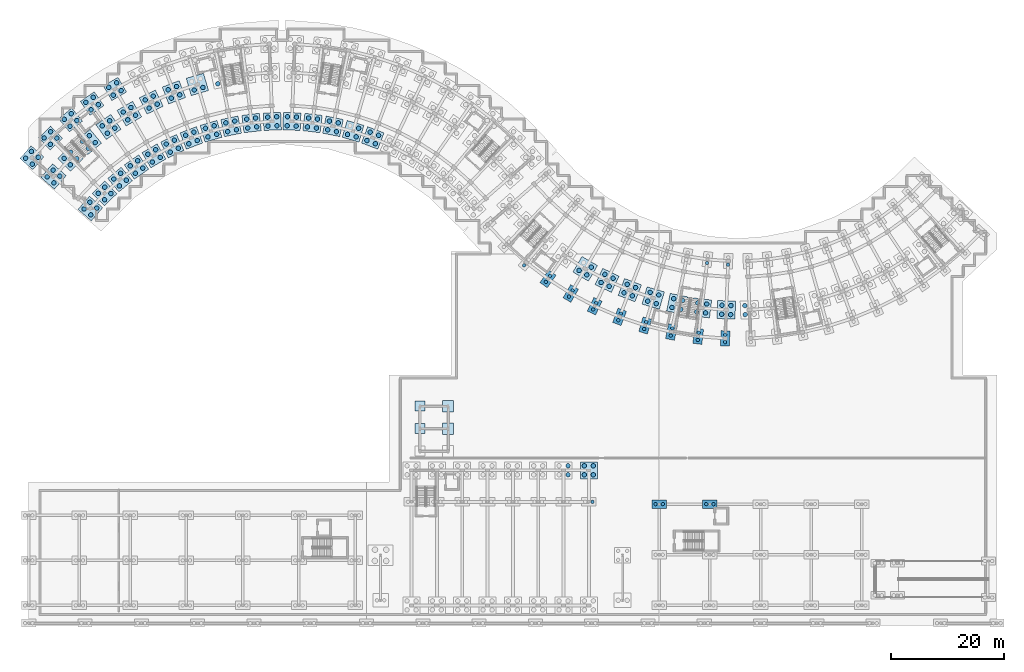
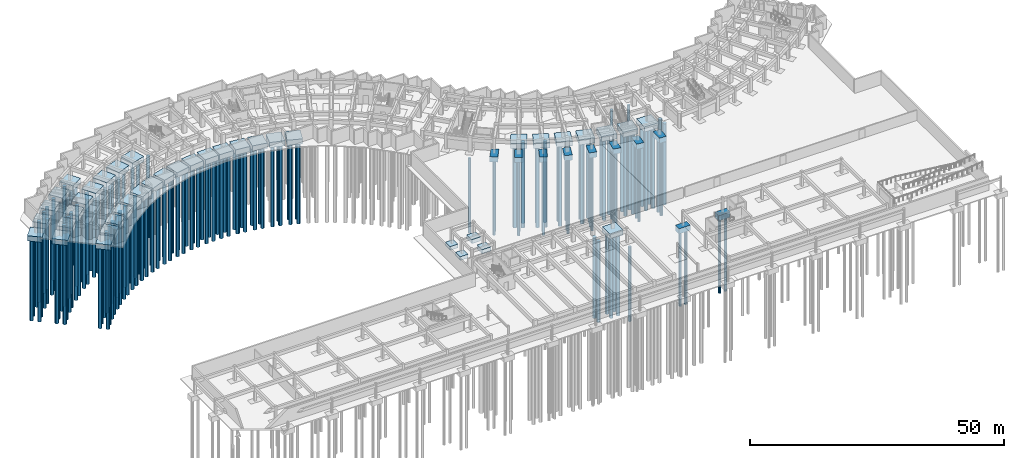
# One storey, part 2 of 32: 173 piles, 51 footings.
"""IFC4 building model written with IfcOpenShell, lengths in metres."""

from ifc_helpers import new_model, si_unit, direction, frame, origin, origin_2d, place, context, subcontext, project, spatial, rectangle, circle, extrude, material, material_profile, profile_set, type_object, element, save


model = new_model("IFC4")

# Units and contexts
model_context = context("Model", 3, precision=1e-05, world=origin(), true_north=direction((0.0, 1.0)))
body_context = subcontext(model_context, "Body", "Model", "MODEL_VIEW")
ifc_project = project(units=[si_unit("LENGTHUNIT", "METRE"), si_unit("AREAUNIT", "SQUARE_METRE"), si_unit("VOLUMEUNIT", "CUBIC_METRE"), si_unit("PLANEANGLEUNIT", "RADIAN"), si_unit("MASSUNIT", "GRAM", prefix="KILO")], contexts=[model_context])

# Site, building, storey
site_placement = place(None, origin())
site = spatial("IfcSite", under=ifc_project, at=site_placement, CompositionType="ELEMENT")
building_placement = place(site_placement, origin())
building = spatial("IfcBuilding", under=site, at=building_placement, Name="Zimvara Arc Housing Community", CompositionType="ELEMENT")
storey_placement = place(building_placement, frame((0.0, 0.0, -3.60009765625)))
storey = spatial("IfcBuildingStorey", under=building, at=storey_placement, Name="B1", CompositionType="ELEMENT", Elevation=-3.60009765625)

# Footings
ifc_material_1 = material(Name="Concrete C35/45", Category="concrete")
footing_type_1 = type_object("IfcFootingType", Name="FTG-PAD-1800x1800x900", PredefinedType="PAD_FOOTING", material=ifc_material_1)
for number, where, z_axis, x_axis, name in (
    (1, (69.5, 35.0, -0.89990234375), (0.0, 0.0, 1.0), (1.0, 0.0, 0.0), "ftg:pad:3"),
    (2, (69.5, 39.0, -0.89990234375), (0.0, 0.0, 1.0), (1.0, 0.0, 0.0), "ftg:pad:5"),
):
    element("IfcFooting", number, at=place(storey_placement, frame(where, z_axis=z_axis, x_axis=x_axis)), inside=storey, type_object=footing_type_1, Name=name, PredefinedType="PAD_FOOTING", context=body_context, shape_type="SweptSolid", body=[
        extrude(rectangle(XDim=1.800048828125, YDim=1.800048828125, at=origin_2d()), origin(), (0.0, 0.0, 1.0), 0.89990234375),
    ])
ifc_material_2 = material(Name="Concrete C35/45", Category="concrete")
footing_type_2 = type_object("IfcFootingType", Name="FTG-PAD-2000x2000x950", PredefinedType="PAD_FOOTING", material=ifc_material_2)
for number, where, z_axis, x_axis, name in (
    (3, (74.5, 35.0, -0.94970703125), (0.0, 0.0, 1.0), (1.0, 0.0, 0.0), "ftg:pad:4"),
    (4, (74.5, 39.0, -0.94970703125), (0.0, 0.0, 1.0), (1.0, 0.0, 0.0), "ftg:pad:6"),
):
    element("IfcFooting", number, at=place(storey_placement, frame(where, z_axis=z_axis, x_axis=x_axis)), inside=storey, type_object=footing_type_2, Name=name, PredefinedType="PAD_FOOTING", context=body_context, shape_type="SweptSolid", body=[
        extrude(rectangle(XDim=2.0, YDim=2.0, at=origin_2d()), origin(), (0.0, 0.0, 1.0), 0.949951171875),
    ])
ifc_material_3 = material(Name="Concrete C35/45", Category="concrete")
footing_type_3 = type_object("IfcFootingType", Name="FTG-PC2-2400x1500x1250", PredefinedType="PILE_CAP", material=ifc_material_3)
for number, where, z_axis, x_axis, name in (
    (5, (112.0, 21.60009765625, -1.25), (0.0, 0.0, 1.0), (1.0, 0.0, 0.0), "ftg:nursery:x0:y2"),
    (6, (121.0, 21.60009765625, -1.25), (0.0, 0.0, 1.0), (1.0, 0.0, 0.0), "ftg:nursery:x1:y2"),
):
    element("IfcFooting", number, at=place(storey_placement, frame(where, z_axis=z_axis, x_axis=x_axis)), inside=storey, type_object=footing_type_3, Name=name, PredefinedType="PILE_CAP", context=body_context, shape_type="SweptSolid", body=[
        extrude(rectangle(XDim=2.60009765625, YDim=1.5, at=origin_2d()), origin(), (0.0, 0.0, 1.0), 1.25),
    ])
ifc_material_4 = material(Name="Concrete C35/45", Category="concrete")
footing_type_4 = type_object("IfcFootingType", Name="FTG-PC2-2600x1600x1250", PredefinedType="PILE_CAP", material=ifc_material_4)
for number, where, z_axis, x_axis, name in (
    (7, (92.241455078125, 61.604736328125, -1.25), (0.0, 0.0, 1.0), (-0.573004420611, -0.819552276527, 0.0), "ftg:blkC:b3:r3"),
    (8, (96.291259765625, 59.012939453125, -1.25), (0.0, 0.0, 1.0), (-0.504226211181, -0.863571611366, 0.0), "ftg:blkC:b4:r3"),
    (9, (100.538818359375, 56.760009765625, -1.25), (0.0, 0.0, 1.0), (-0.432085748802, -0.901832526405, 0.0), "ftg:blkC:b5:r3"),
    (10, (104.9560546875, 54.861328125, -1.25), (0.0, 0.0, 1.0), (-0.357064076459, -0.934079892355, 0.0), "ftg:blkC:b6:r3"),
    (11, (109.513427734375, 53.329345703125, -1.25), (0.0, 0.0, 1.0), (-0.27966144946, -0.96009867914, 0.0), "ftg:blkC:b7:r3"),
    (12, (114.180908203125, 52.17431640625, -1.25), (0.0, 0.0, 1.0), (-0.200393999665, -0.979715389742, 0.0), "ftg:blkC:b8:r3"),
    (13, (118.9267578125, 51.404052734375, -1.25), (0.0, 0.0, 1.0), (-0.119790293837, -0.992799217114, 0.0), "ftg:blkC:b9:r3"),
    (14, (123.7197265625, 51.0234375, -1.25), (0.0, 0.0, 1.0), (-0.038387809088, -0.999262916411, 0.0), "ftg:blkC:b10:r3"),
):
    element("IfcFooting", number, at=place(storey_placement, frame(where, z_axis=z_axis, x_axis=x_axis)), inside=storey, type_object=footing_type_4, Name=name, PredefinedType="PILE_CAP", context=body_context, shape_type="SweptSolid", body=[
        extrude(rectangle(XDim=2.699951171875, YDim=1.60009765625, at=origin_2d()), origin(), (0.0, 0.0, 1.0), 1.25),
    ])
ifc_material_5 = material(Name="Concrete C35/45", Category="concrete")
footing_type_5 = type_object("IfcFootingType", Name="FTG-PC4-2800x2800x1250", PredefinedType="PILE_CAP", material=ifc_material_5)
for number, where, z_axis, x_axis, name in (
    (15, (0.562744140625, 83.128662109375, -1.25), (0.0, 0.0, 1.0), (-0.754709580223, 0.656059028991, 0.0), "ftg:blkA:b0:r3"),
    (16, (3.862548828125, 86.625732421875, -1.25), (0.0, 0.0, 1.0), (-0.698665066769, 0.715448897181, 0.0), "ftg:blkA:b1:r3"),
    (17, (7.436767578125, 89.841552734375, -1.25), (0.0, 0.0, 1.0), (-0.637961754089, 0.770068049148, 0.0), "ftg:blkA:b2:r3"),
    (18, (11.261474609375, 92.755126953125, -1.25), (0.0, 0.0, 1.0), (-0.573004420611, 0.819552276527, 0.0), "ftg:blkA:b3:r3"),
    (19, (15.311279296875, 95.34716796875, -1.25), (0.0, 0.0, 1.0), (-0.504226211181, 0.863571611366, 0.0), "ftg:blkA:b4:r3"),
    (20, (99.5, 27.60009765625, -1.25), (0.0, 0.0, 1.0), (1.0, 0.0, 0.0), "ftg:hall:x7:y1"),
):
    element("IfcFooting", number, at=place(storey_placement, frame(where, z_axis=z_axis, x_axis=x_axis)), inside=storey, type_object=footing_type_5, Name=name, PredefinedType="PILE_CAP", context=body_context, shape_type="SweptSolid", body=[
        extrude(rectangle(XDim=3.0, YDim=3.0, at=origin_2d()), origin(), (0.0, 0.0, 1.0), 1.25),
    ])
ifc_material_6 = material(Name="Concrete C35/45", Category="concrete")
footing_type_6 = type_object("IfcFootingType", Name="FTG-PC4-3000x3000x1250", PredefinedType="PILE_CAP", material=ifc_material_6)
for number, where, z_axis, x_axis, name in (
    (21, (10.947509765625, 74.101318359375, -1.25), (0.0, 0.0, 1.0), (-0.754709580223, 0.656059028991, 0.0), "ftg:blkA:b0:r0"),
    (22, (13.476318359375, 76.781005859375, -1.25), (0.0, 0.0, 1.0), (-0.698665066769, 0.715448897181, 0.0), "ftg:blkA:b1:r0"),
    (23, (16.215087890625, 79.245361328125, -1.25), (0.0, 0.0, 1.0), (-0.637961754089, 0.770068049148, 0.0), "ftg:blkA:b2:r0"),
    (24, (19.14599609375, 81.478271484375, -1.25), (0.0, 0.0, 1.0), (-0.573004420611, 0.819552276527, 0.0), "ftg:blkA:b3:r0"),
    (25, (22.249267578125, 83.46435546875, -1.25), (0.0, 0.0, 1.0), (-0.504226211181, 0.863571611366, 0.0), "ftg:blkA:b4:r0"),
    (26, (25.50439453125, 85.190673828125, -1.25), (0.0, 0.0, 1.0), (-0.432085748802, 0.901832526405, 0.0), "ftg:blkA:b5:r0"),
    (27, (28.88916015625, 86.645751953125, -1.25), (0.0, 0.0, 1.0), (-0.357064076459, 0.934079892355, 0.0), "ftg:blkA:b6:r0"),
    (28, (32.381591796875, 87.819580078125, -1.25), (0.0, 0.0, 1.0), (-0.27966144946, 0.96009867914, 0.0), "ftg:blkA:b7:r0"),
    (29, (35.958251953125, 88.704833984375, -1.25), (0.0, 0.0, 1.0), (-0.200393999665, 0.979715389742, 0.0), "ftg:blkA:b8:r0"),
    (30, (39.594970703125, 89.295166015625, -1.25), (0.0, 0.0, 1.0), (-0.119790293837, 0.992799217114, 0.0), "ftg:blkA:b9:r0"),
    (31, (43.267822265625, 89.586669921875, -1.25), (0.0, 0.0, 1.0), (-0.038387809088, 0.999262916411, 0.0), "ftg:blkA:b10:r0"),
    (32, (46.732177734375, 89.586669921875, -1.25), (0.0, 0.0, 1.0), (0.038387809088, 0.999262916411, 0.0), "ftg:blkB:b0:r0"),
    (33, (50.405029296875, 89.295166015625, -1.25), (0.0, 0.0, 1.0), (0.119790293837, 0.992799217114, 0.0), "ftg:blkB:b1:r0"),
    (34, (54.041748046875, 88.704833984375, -1.25), (0.0, 0.0, 1.0), (0.200393999665, 0.979715389742, 0.0), "ftg:blkB:b2:r0"),
    (35, (57.618408203125, 87.819580078125, -1.25), (0.0, 0.0, 1.0), (0.27966144946, 0.96009867914, 0.0), "ftg:blkB:b3:r0"),
    (36, (61.11083984375, 86.645751953125, -1.25), (0.0, 0.0, 1.0), (0.357064076459, 0.934079892355, 0.0), "ftg:blkB:b4:r0"),
):
    element("IfcFooting", number, at=place(storey_placement, frame(where, z_axis=z_axis, x_axis=x_axis)), inside=storey, type_object=footing_type_6, Name=name, PredefinedType="PILE_CAP", context=body_context, shape_type="SweptSolid", body=[
        extrude(rectangle(XDim=3.10009765625, YDim=3.10009765625, at=origin_2d()), origin(), (0.0, 0.0, 1.0), 1.25),
    ])
ifc_material_7 = material(Name="Concrete C35/45", Category="concrete")
footing_type_7 = type_object("IfcFootingType", Name="FTG-PC4-3200x3200x1250", PredefinedType="PILE_CAP", material=ifc_material_7)
for number, where, z_axis, x_axis, name in (
    (37, (4.396728515625, 79.7958984375, -1.25), (0.0, 0.0, 1.0), (-0.754709580223, 0.656059028991, 0.0), "ftg:blkA:b0:r2"),
    (38, (7.411865234375, 82.9912109375, -1.25), (0.0, 0.0, 1.0), (-0.698665066769, 0.715448897181, 0.0), "ftg:blkA:b1:r2"),
    (39, (10.677734375, 85.9296875, -1.25), (0.0, 0.0, 1.0), (-0.637961754089, 0.770068049148, 0.0), "ftg:blkA:b2:r2"),
    (40, (14.17236328125, 88.591796875, -1.25), (0.0, 0.0, 1.0), (-0.573004420611, 0.819552276527, 0.0), "ftg:blkA:b3:r2"),
    (41, (17.87255859375, 90.960205078125, -1.25), (0.0, 0.0, 1.0), (-0.504226211181, 0.863571611366, 0.0), "ftg:blkA:b4:r2"),
    (42, (21.75390625, 93.0185546875, -1.25), (0.0, 0.0, 1.0), (-0.432085748802, 0.901832526405, 0.0), "ftg:blkA:b5:r2"),
    (43, (25.7900390625, 94.75341796875, -1.25), (0.0, 0.0, 1.0), (-0.357064076459, 0.934079892355, 0.0), "ftg:blkA:b6:r2"),
    (44, (29.9541015625, 96.1533203125, -1.25), (0.0, 0.0, 1.0), (-0.27966144946, 0.96009867914, 0.0), "ftg:blkA:b7:r2"),
    (45, (98.8525390625, 63.39990234375, -1.25), (0.0, 0.0, 1.0), (-0.504226211181, -0.863571611366, 0.0), "ftg:blkC:b4:r2"),
    (46, (102.73388671875, 61.34130859375, -1.25), (0.0, 0.0, 1.0), (-0.432085748802, -0.901832526405, 0.0), "ftg:blkC:b5:r2"),
    (47, (106.77001953125, 59.6064453125, -1.25), (0.0, 0.0, 1.0), (-0.357064076459, -0.934079892355, 0.0), "ftg:blkC:b6:r2"),
    (48, (110.934326171875, 58.206787109375, -1.25), (0.0, 0.0, 1.0), (-0.27966144946, -0.96009867914, 0.0), "ftg:blkC:b7:r2"),
    (49, (115.19873046875, 57.1513671875, -1.25), (0.0, 0.0, 1.0), (-0.200393999665, -0.979715389742, 0.0), "ftg:blkC:b8:r2"),
    (50, (119.535400390625, 56.447509765625, -1.25), (0.0, 0.0, 1.0), (-0.119790293837, -0.992799217114, 0.0), "ftg:blkC:b9:r2"),
    (51, (123.914794921875, 56.099609375, -1.25), (0.0, 0.0, 1.0), (-0.038387809088, -0.999262916411, 0.0), "ftg:blkC:b10:r2"),
):
    element("IfcFooting", number, at=place(storey_placement, frame(where, z_axis=z_axis, x_axis=x_axis)), inside=storey, type_object=footing_type_7, Name=name, PredefinedType="PILE_CAP", context=body_context, shape_type="SweptSolid", body=[
        extrude(rectangle(XDim=3.199951171875, YDim=3.199951171875, at=origin_2d()), origin(), (0.0, 0.0, 1.0), 1.25),
    ])

# Piles
ifc_material_8 = material(Name="Concrete C35/45", Category="concrete")
ifc_material_profile_1 = material_profile(ifc_material_8, circle(Radius=0.300048828125, at=origin_2d()), Name="PILE D600")
ifc_profile_set_1 = profile_set([ifc_material_profile_1], Name="Concrete C35/45")
pile_type_1 = type_object("IfcPileType", Name="PIL-BORED-D600", PredefinedType="BORED", material=ifc_profile_set_1)
for number, where, z_axis, x_axis, name in (
    (52, (88.002197265625, 64.017822265625, -1.14990234375), (0.0, 0.0, -1.0), (1.0, 0.0, 0.0), "pile:blkC:b2:r3:2"),
    (53, (92.614013671875, 62.137451171875, -1.14990234375), (0.0, 0.0, -1.0), (1.0, 0.0, 0.0), "pile:blkC:b3:r3:1"),
    (54, (91.869140625, 61.072021484375, -1.14990234375), (0.0, 0.0, -1.0), (1.0, 0.0, 0.0), "pile:blkC:b3:r3:2"),
    (55, (96.618896484375, 59.57421875, -1.14990234375), (0.0, 0.0, -1.0), (1.0, 0.0, 0.0), "pile:blkC:b4:r3:1"),
    (56, (95.96337890625, 58.45166015625, -1.14990234375), (0.0, 0.0, -1.0), (1.0, 0.0, 0.0), "pile:blkC:b4:r3:2"),
    (57, (100.819580078125, 57.34619140625, -1.14990234375), (0.0, 0.0, -1.0), (1.0, 0.0, 0.0), "pile:blkC:b5:r3:1"),
    (58, (100.258056640625, 56.173828125, -1.14990234375), (0.0, 0.0, -1.0), (1.0, 0.0, 0.0), "pile:blkC:b5:r3:2"),
    (59, (105.188232421875, 55.468505859375, -1.14990234375), (0.0, 0.0, -1.0), (1.0, 0.0, 0.0), "pile:blkC:b6:r3:1"),
    (60, (104.723876953125, 54.254150390625, -1.14990234375), (0.0, 0.0, -1.0), (1.0, 0.0, 0.0), "pile:blkC:b6:r3:2"),
    (61, (109.6953125, 53.953369140625, -1.14990234375), (0.0, 0.0, -1.0), (1.0, 0.0, 0.0), "pile:blkC:b7:r3:1"),
    (62, (109.331787109375, 52.705322265625, -1.14990234375), (0.0, 0.0, -1.0), (1.0, 0.0, 0.0), "pile:blkC:b7:r3:2"),
    (63, (114.31103515625, 52.811279296875, -1.14990234375), (0.0, 0.0, -1.0), (1.0, 0.0, 0.0), "pile:blkC:b8:r3:1"),
    (64, (114.050537109375, 51.53759765625, -1.14990234375), (0.0, 0.0, -1.0), (1.0, 0.0, 0.0), "pile:blkC:b8:r3:2"),
    (65, (120.497314453125, 64.419677734375, -1.14990234375), (0.0, 0.0, -1.0), (1.0, 0.0, 0.0), "pile:blkC:b9:r0:2"),
    (66, (119.004638671875, 52.04931640625, -1.14990234375), (0.0, 0.0, -1.0), (1.0, 0.0, 0.0), "pile:blkC:b9:r3:1"),
    (67, (118.848876953125, 50.758544921875, -1.14990234375), (0.0, 0.0, -1.0), (1.0, 0.0, 0.0), "pile:blkC:b9:r3:2"),
    (68, (124.222900390625, 64.123779296875, -1.14990234375), (0.0, 0.0, -1.0), (1.0, 0.0, 0.0), "pile:blkC:b10:r0:2"),
    (69, (123.74462890625, 51.6728515625, -1.14990234375), (0.0, 0.0, -1.0), (1.0, 0.0, 0.0), "pile:blkC:b10:r3:1"),
    (70, (123.69482421875, 50.373779296875, -1.14990234375), (0.0, 0.0, -1.0), (1.0, 0.0, 0.0), "pile:blkC:b10:r3:2"),
    (71, (100.14990234375, 22.0, -1.14990234375), (0.0, 0.0, -1.0), (1.0, 0.0, 0.0), "pile:hall:gal:x7:2"),
    (72, (111.35009765625, 21.60009765625, -1.14990234375), (0.0, 0.0, -1.0), (1.0, 0.0, 0.0), "pile:nursery:x0:y2:1"),
    (73, (112.64990234375, 21.60009765625, -1.14990234375), (0.0, 0.0, -1.0), (1.0, 0.0, 0.0), "pile:nursery:x0:y2:2"),
    (74, (120.35009765625, 21.60009765625, -1.14990234375), (0.0, 0.0, -1.0), (1.0, 0.0, 0.0), "pile:nursery:x1:y2:1"),
    (75, (121.64990234375, 21.60009765625, -1.14990234375), (0.0, 0.0, -1.0), (1.0, 0.0, 0.0), "pile:nursery:x1:y2:2"),
):
    element("IfcPile", number, at=place(storey_placement, frame(where, z_axis=z_axis, x_axis=x_axis)), inside=storey, type_object=pile_type_1, Name=name, PredefinedType="BORED", context=body_context, shape_type="SweptSolid", body=[
        extrude(circle(Radius=0.300048828125, at=origin_2d()), origin(), (0.0, 0.0, 1.0), 18.0),
    ])
ifc_material_9 = material(Name="Concrete C35/45", Category="concrete")
ifc_material_profile_2 = material_profile(ifc_material_9, circle(Radius=0.39990234375, at=origin_2d()), Name="PILE D800")
ifc_profile_set_2 = profile_set([ifc_material_profile_2], Name="Concrete C35/45")
pile_type_2 = type_object("IfcPileType", Name="PIL-BORED-D800", PredefinedType="BORED", material=ifc_profile_set_2)
for number, where, z_axis, x_axis, name in (
    (76, (12.076171875, 74.180419921875, -1.14990234375), (0.0, 0.0, -1.0), (1.0, 0.0, 0.0), "pile:blkA:b0:r0:1"),
    (77, (10.86865234375, 75.22998046875, -1.14990234375), (0.0, 0.0, -1.0), (1.0, 0.0, 0.0), "pile:blkA:b0:r0:2"),
    (78, (9.81884765625, 74.0224609375, -1.14990234375), (0.0, 0.0, -1.0), (1.0, 0.0, 0.0), "pile:blkA:b0:r0:3"),
    (79, (11.0263671875, 72.97265625, -1.14990234375), (0.0, 0.0, -1.0), (1.0, 0.0, 0.0), "pile:blkA:b0:r0:4"),
    (80, (5.525146484375, 79.875, -1.14990234375), (0.0, 0.0, -1.0), (1.0, 0.0, 0.0), "pile:blkA:b0:r2:1"),
    (81, (4.317626953125, 80.924560546875, -1.14990234375), (0.0, 0.0, -1.0), (1.0, 0.0, 0.0), "pile:blkA:b0:r2:2"),
    (82, (3.26806640625, 79.717041015625, -1.14990234375), (0.0, 0.0, -1.0), (1.0, 0.0, 0.0), "pile:blkA:b0:r2:3"),
    (83, (4.4755859375, 78.66748046875, -1.14990234375), (0.0, 0.0, -1.0), (1.0, 0.0, 0.0), "pile:blkA:b0:r2:4"),
    (84, (1.69140625, 83.207763671875, -1.14990234375), (0.0, 0.0, -1.0), (1.0, 0.0, 0.0), "pile:blkA:b0:r3:1"),
    (85, (0.48388671875, 84.25732421875, -1.14990234375), (0.0, 0.0, -1.0), (1.0, 0.0, 0.0), "pile:blkA:b0:r3:2"),
    (86, (-0.56591796875, 83.0498046875, -1.14990234375), (0.0, 0.0, -1.0), (1.0, 0.0, 0.0), "pile:blkA:b0:r3:3"),
    (87, (0.6416015625, 82.000244140625, -1.14990234375), (0.0, 0.0, -1.0), (1.0, 0.0, 0.0), "pile:blkA:b0:r3:4"),
    (88, (14.607421875, 76.767578125, -1.14990234375), (0.0, 0.0, -1.0), (1.0, 0.0, 0.0), "pile:blkA:b1:r0:1"),
    (89, (13.48974609375, 77.912353515625, -1.14990234375), (0.0, 0.0, -1.0), (1.0, 0.0, 0.0), "pile:blkA:b1:r0:2"),
    (90, (12.344970703125, 76.79443359375, -1.14990234375), (0.0, 0.0, -1.0), (1.0, 0.0, 0.0), "pile:blkA:b1:r0:3"),
    (91, (13.462890625, 75.649658203125, -1.14990234375), (0.0, 0.0, -1.0), (1.0, 0.0, 0.0), "pile:blkA:b1:r0:4"),
    (92, (8.543212890625, 82.977783203125, -1.14990234375), (0.0, 0.0, -1.0), (1.0, 0.0, 0.0), "pile:blkA:b1:r2:1"),
    (93, (7.42529296875, 84.12255859375, -1.14990234375), (0.0, 0.0, -1.0), (1.0, 0.0, 0.0), "pile:blkA:b1:r2:2"),
    (94, (6.280517578125, 83.004638671875, -1.14990234375), (0.0, 0.0, -1.0), (1.0, 0.0, 0.0), "pile:blkA:b1:r2:3"),
    (95, (7.3984375, 81.85986328125, -1.14990234375), (0.0, 0.0, -1.0), (1.0, 0.0, 0.0), "pile:blkA:b1:r2:4"),
    (96, (4.993896484375, 86.6123046875, -1.14990234375), (0.0, 0.0, -1.0), (1.0, 0.0, 0.0), "pile:blkA:b1:r3:1"),
    (97, (3.8759765625, 87.7568359375, -1.14990234375), (0.0, 0.0, -1.0), (1.0, 0.0, 0.0), "pile:blkA:b1:r3:2"),
    (98, (2.731201171875, 86.63916015625, -1.14990234375), (0.0, 0.0, -1.0), (1.0, 0.0, 0.0), "pile:blkA:b1:r3:3"),
    (99, (3.84912109375, 85.494384765625, -1.14990234375), (0.0, 0.0, -1.0), (1.0, 0.0, 0.0), "pile:blkA:b1:r3:4"),
    (100, (17.341552734375, 79.139892578125, -1.14990234375), (0.0, 0.0, -1.0), (1.0, 0.0, 0.0), "pile:blkA:b2:r0:1"),
    (101, (16.32080078125, 80.371826171875, -1.14990234375), (0.0, 0.0, -1.0), (1.0, 0.0, 0.0), "pile:blkA:b2:r0:2"),
    (102, (15.088623046875, 79.35107421875, -1.14990234375), (0.0, 0.0, -1.0), (1.0, 0.0, 0.0), "pile:blkA:b2:r0:3"),
    (103, (16.109375, 78.119140625, -1.14990234375), (0.0, 0.0, -1.0), (1.0, 0.0, 0.0), "pile:blkA:b2:r0:4"),
    (104, (11.80419921875, 85.823974609375, -1.14990234375), (0.0, 0.0, -1.0), (1.0, 0.0, 0.0), "pile:blkA:b2:r2:1"),
    (105, (10.783447265625, 87.05615234375, -1.14990234375), (0.0, 0.0, -1.0), (1.0, 0.0, 0.0), "pile:blkA:b2:r2:2"),
    (106, (9.55126953125, 86.035400390625, -1.14990234375), (0.0, 0.0, -1.0), (1.0, 0.0, 0.0), "pile:blkA:b2:r2:3"),
    (107, (10.572021484375, 84.80322265625, -1.14990234375), (0.0, 0.0, -1.0), (1.0, 0.0, 0.0), "pile:blkA:b2:r2:4"),
    (108, (8.563232421875, 89.73583984375, -1.14990234375), (0.0, 0.0, -1.0), (1.0, 0.0, 0.0), "pile:blkA:b2:r3:1"),
    (109, (7.54248046875, 90.968017578125, -1.14990234375), (0.0, 0.0, -1.0), (1.0, 0.0, 0.0), "pile:blkA:b2:r3:2"),
    (110, (6.310302734375, 89.947265625, -1.14990234375), (0.0, 0.0, -1.0), (1.0, 0.0, 0.0), "pile:blkA:b2:r3:3"),
    (111, (7.3310546875, 88.715087890625, -1.14990234375), (0.0, 0.0, -1.0), (1.0, 0.0, 0.0), "pile:blkA:b2:r3:4"),
    (112, (20.260009765625, 81.281005859375, -1.14990234375), (0.0, 0.0, -1.0), (1.0, 0.0, 0.0), "pile:blkA:b3:r0:1"),
    (113, (19.34326171875, 82.59228515625, -1.14990234375), (0.0, 0.0, -1.0), (1.0, 0.0, 0.0), "pile:blkA:b3:r0:2"),
    (114, (18.031982421875, 81.675537109375, -1.14990234375), (0.0, 0.0, -1.0), (1.0, 0.0, 0.0), "pile:blkA:b3:r0:3"),
    (115, (18.94873046875, 80.3642578125, -1.14990234375), (0.0, 0.0, -1.0), (1.0, 0.0, 0.0), "pile:blkA:b3:r0:4"),
    (116, (15.286376953125, 88.394775390625, -1.14990234375), (0.0, 0.0, -1.0), (1.0, 0.0, 0.0), "pile:blkA:b3:r2:1"),
    (117, (14.36962890625, 89.7060546875, -1.14990234375), (0.0, 0.0, -1.0), (1.0, 0.0, 0.0), "pile:blkA:b3:r2:2"),
    (118, (13.058349609375, 88.7890625, -1.14990234375), (0.0, 0.0, -1.0), (1.0, 0.0, 0.0), "pile:blkA:b3:r2:3"),
    (119, (13.97509765625, 87.477783203125, -1.14990234375), (0.0, 0.0, -1.0), (1.0, 0.0, 0.0), "pile:blkA:b3:r2:4"),
    (120, (12.37548828125, 92.55810546875, -1.14990234375), (0.0, 0.0, -1.0), (1.0, 0.0, 0.0), "pile:blkA:b3:r3:1"),
    (121, (11.458740234375, 93.869384765625, -1.14990234375), (0.0, 0.0, -1.0), (1.0, 0.0, 0.0), "pile:blkA:b3:r3:2"),
    (122, (10.1474609375, 92.952392578125, -1.14990234375), (0.0, 0.0, -1.0), (1.0, 0.0, 0.0), "pile:blkA:b3:r3:3"),
    (123, (11.064208984375, 91.64111328125, -1.14990234375), (0.0, 0.0, -1.0), (1.0, 0.0, 0.0), "pile:blkA:b3:r3:4"),
    (124, (23.343505859375, 83.1767578125, -1.14990234375), (0.0, 0.0, -1.0), (1.0, 0.0, 0.0), "pile:blkA:b4:r0:1"),
    (125, (22.536865234375, 84.55859375, -1.14990234375), (0.0, 0.0, -1.0), (1.0, 0.0, 0.0), "pile:blkA:b4:r0:2"),
    (126, (21.155029296875, 83.751708984375, -1.14990234375), (0.0, 0.0, -1.0), (1.0, 0.0, 0.0), "pile:blkA:b4:r0:3"),
    (127, (21.9619140625, 82.3701171875, -1.14990234375), (0.0, 0.0, -1.0), (1.0, 0.0, 0.0), "pile:blkA:b4:r0:4"),
    (128, (18.966796875, 90.672607421875, -1.14990234375), (0.0, 0.0, -1.0), (1.0, 0.0, 0.0), "pile:blkA:b4:r2:1"),
    (129, (18.16015625, 92.054443359375, -1.14990234375), (0.0, 0.0, -1.0), (1.0, 0.0, 0.0), "pile:blkA:b4:r2:2"),
    (130, (16.7783203125, 91.24755859375, -1.14990234375), (0.0, 0.0, -1.0), (1.0, 0.0, 0.0), "pile:blkA:b4:r2:3"),
    (131, (17.585205078125, 89.865966796875, -1.14990234375), (0.0, 0.0, -1.0), (1.0, 0.0, 0.0), "pile:blkA:b4:r2:4"),
    (132, (16.405517578125, 95.0595703125, -1.14990234375), (0.0, 0.0, -1.0), (1.0, 0.0, 0.0), "pile:blkA:b4:r3:1"),
    (133, (15.5986328125, 96.44140625, -1.14990234375), (0.0, 0.0, -1.0), (1.0, 0.0, 0.0), "pile:blkA:b4:r3:2"),
    (134, (14.217041015625, 95.634521484375, -1.14990234375), (0.0, 0.0, -1.0), (1.0, 0.0, 0.0), "pile:blkA:b4:r3:3"),
    (135, (15.023681640625, 94.2529296875, -1.14990234375), (0.0, 0.0, -1.0), (1.0, 0.0, 0.0), "pile:blkA:b4:r3:4"),
    (136, (26.571533203125, 84.81494140625, -1.14990234375), (0.0, 0.0, -1.0), (1.0, 0.0, 0.0), "pile:blkA:b5:r0:1"),
    (137, (25.880126953125, 86.2578125, -1.14990234375), (0.0, 0.0, -1.0), (1.0, 0.0, 0.0), "pile:blkA:b5:r0:2"),
    (138, (24.437255859375, 85.56640625, -1.14990234375), (0.0, 0.0, -1.0), (1.0, 0.0, 0.0), "pile:blkA:b5:r0:3"),
    (139, (25.12841796875, 84.12353515625, -1.14990234375), (0.0, 0.0, -1.0), (1.0, 0.0, 0.0), "pile:blkA:b5:r0:4"),
    (140, (22.82080078125, 92.642822265625, -1.14990234375), (0.0, 0.0, -1.0), (1.0, 0.0, 0.0), "pile:blkA:b5:r2:1"),
    (141, (22.129638671875, 94.085693359375, -1.14990234375), (0.0, 0.0, -1.0), (1.0, 0.0, 0.0), "pile:blkA:b5:r2:2"),
    (142, (20.686767578125, 93.394287109375, -1.14990234375), (0.0, 0.0, -1.0), (1.0, 0.0, 0.0), "pile:blkA:b5:r2:3"),
    (143, (21.3779296875, 91.951416015625, -1.14990234375), (0.0, 0.0, -1.0), (1.0, 0.0, 0.0), "pile:blkA:b5:r2:4"),
    (144, (29.922119140625, 86.18408203125, -1.14990234375), (0.0, 0.0, -1.0), (1.0, 0.0, 0.0), "pile:blkA:b6:r0:1"),
    (145, (29.350830078125, 87.6787109375, -1.14990234375), (0.0, 0.0, -1.0), (1.0, 0.0, 0.0), "pile:blkA:b6:r0:2"),
    (146, (27.8564453125, 87.107421875, -1.14990234375), (0.0, 0.0, -1.0), (1.0, 0.0, 0.0), "pile:blkA:b6:r0:3"),
    (147, (28.427734375, 85.61279296875, -1.14990234375), (0.0, 0.0, -1.0), (1.0, 0.0, 0.0), "pile:blkA:b6:r0:4"),
    (148, (26.82275390625, 94.2919921875, -1.14990234375), (0.0, 0.0, -1.0), (1.0, 0.0, 0.0), "pile:blkA:b6:r2:1"),
    (149, (26.25146484375, 95.786376953125, -1.14990234375), (0.0, 0.0, -1.0), (1.0, 0.0, 0.0), "pile:blkA:b6:r2:2"),
    (150, (24.757080078125, 95.215087890625, -1.14990234375), (0.0, 0.0, -1.0), (1.0, 0.0, 0.0), "pile:blkA:b6:r2:3"),
    (151, (25.328369140625, 93.720458984375, -1.14990234375), (0.0, 0.0, -1.0), (1.0, 0.0, 0.0), "pile:blkA:b6:r2:4"),
    (152, (33.37353515625, 87.275390625, -1.14990234375), (0.0, 0.0, -1.0), (1.0, 0.0, 0.0), "pile:blkA:b7:r0:1"),
    (153, (32.926025390625, 88.8115234375, -1.14990234375), (0.0, 0.0, -1.0), (1.0, 0.0, 0.0), "pile:blkA:b7:r0:2"),
    (154, (31.389892578125, 88.364013671875, -1.14990234375), (0.0, 0.0, -1.0), (1.0, 0.0, 0.0), "pile:blkA:b7:r0:3"),
    (155, (31.83740234375, 86.827880859375, -1.14990234375), (0.0, 0.0, -1.0), (1.0, 0.0, 0.0), "pile:blkA:b7:r0:4"),
    (156, (30.946044921875, 95.60888671875, -1.14990234375), (0.0, 0.0, -1.0), (1.0, 0.0, 0.0), "pile:blkA:b7:r2:1"),
    (157, (29.409912109375, 95.16162109375, -1.14990234375), (0.0, 0.0, -1.0), (1.0, 0.0, 0.0), "pile:blkA:b7:r2:4"),
    (158, (36.90234375, 88.081298828125, -1.14990234375), (0.0, 0.0, -1.0), (1.0, 0.0, 0.0), "pile:blkA:b8:r0:1"),
    (159, (36.581787109375, 89.64892578125, -1.14990234375), (0.0, 0.0, -1.0), (1.0, 0.0, 0.0), "pile:blkA:b8:r0:2"),
    (160, (35.01416015625, 89.328125, -1.14990234375), (0.0, 0.0, -1.0), (1.0, 0.0, 0.0), "pile:blkA:b8:r0:3"),
    (161, (35.334716796875, 87.7607421875, -1.14990234375), (0.0, 0.0, -1.0), (1.0, 0.0, 0.0), "pile:blkA:b8:r0:4"),
    (162, (33.595458984375, 96.2646484375, -1.14990234375), (0.0, 0.0, -1.0), (1.0, 0.0, 0.0), "pile:blkA:b8:r2:4"),
    (163, (40.485107421875, 88.5966796875, -1.14990234375), (0.0, 0.0, -1.0), (1.0, 0.0, 0.0), "pile:blkA:b9:r0:1"),
    (164, (40.29345703125, 90.18505859375, -1.14990234375), (0.0, 0.0, -1.0), (1.0, 0.0, 0.0), "pile:blkA:b9:r0:2"),
    (165, (38.705078125, 89.993408203125, -1.14990234375), (0.0, 0.0, -1.0), (1.0, 0.0, 0.0), "pile:blkA:b9:r0:3"),
    (166, (38.896728515625, 88.405029296875, -1.14990234375), (0.0, 0.0, -1.0), (1.0, 0.0, 0.0), "pile:blkA:b9:r0:4"),
    (167, (44.09814453125, 88.818115234375, -1.14990234375), (0.0, 0.0, -1.0), (1.0, 0.0, 0.0), "pile:blkA:b10:r0:1"),
    (168, (44.03662109375, 90.416748046875, -1.14990234375), (0.0, 0.0, -1.0), (1.0, 0.0, 0.0), "pile:blkA:b10:r0:2"),
    (169, (42.437744140625, 90.35546875, -1.14990234375), (0.0, 0.0, -1.0), (1.0, 0.0, 0.0), "pile:blkA:b10:r0:3"),
    (170, (42.499267578125, 88.756591796875, -1.14990234375), (0.0, 0.0, -1.0), (1.0, 0.0, 0.0), "pile:blkA:b10:r0:4"),
    (171, (47.500732421875, 88.756591796875, -1.14990234375), (0.0, 0.0, -1.0), (1.0, 0.0, 0.0), "pile:blkB:b0:r0:1"),
    (172, (47.562255859375, 90.35546875, -1.14990234375), (0.0, 0.0, -1.0), (1.0, 0.0, 0.0), "pile:blkB:b0:r0:2"),
    (173, (45.96337890625, 90.416748046875, -1.14990234375), (0.0, 0.0, -1.0), (1.0, 0.0, 0.0), "pile:blkB:b0:r0:3"),
    (174, (45.90185546875, 88.818115234375, -1.14990234375), (0.0, 0.0, -1.0), (1.0, 0.0, 0.0), "pile:blkB:b0:r0:4"),
    (175, (51.103271484375, 88.405029296875, -1.14990234375), (0.0, 0.0, -1.0), (1.0, 0.0, 0.0), "pile:blkB:b1:r0:1"),
    (176, (51.294921875, 89.993408203125, -1.14990234375), (0.0, 0.0, -1.0), (1.0, 0.0, 0.0), "pile:blkB:b1:r0:2"),
    (177, (49.70654296875, 90.18505859375, -1.14990234375), (0.0, 0.0, -1.0), (1.0, 0.0, 0.0), "pile:blkB:b1:r0:3"),
    (178, (49.514892578125, 88.5966796875, -1.14990234375), (0.0, 0.0, -1.0), (1.0, 0.0, 0.0), "pile:blkB:b1:r0:4"),
    (179, (54.665283203125, 87.7607421875, -1.14990234375), (0.0, 0.0, -1.0), (1.0, 0.0, 0.0), "pile:blkB:b2:r0:1"),
    (180, (54.98583984375, 89.328125, -1.14990234375), (0.0, 0.0, -1.0), (1.0, 0.0, 0.0), "pile:blkB:b2:r0:2"),
    (181, (53.418212890625, 89.64892578125, -1.14990234375), (0.0, 0.0, -1.0), (1.0, 0.0, 0.0), "pile:blkB:b2:r0:3"),
    (182, (53.09765625, 88.081298828125, -1.14990234375), (0.0, 0.0, -1.0), (1.0, 0.0, 0.0), "pile:blkB:b2:r0:4"),
    (183, (58.16259765625, 86.827880859375, -1.14990234375), (0.0, 0.0, -1.0), (1.0, 0.0, 0.0), "pile:blkB:b3:r0:1"),
    (184, (58.610107421875, 88.364013671875, -1.14990234375), (0.0, 0.0, -1.0), (1.0, 0.0, 0.0), "pile:blkB:b3:r0:2"),
    (185, (56.62646484375, 87.275390625, -1.14990234375), (0.0, 0.0, -1.0), (1.0, 0.0, 0.0), "pile:blkB:b3:r0:4"),
    (186, (61.572265625, 85.61279296875, -1.14990234375), (0.0, 0.0, -1.0), (1.0, 0.0, 0.0), "pile:blkB:b4:r0:1"),
    (187, (62.1435546875, 87.107421875, -1.14990234375), (0.0, 0.0, -1.0), (1.0, 0.0, 0.0), "pile:blkB:b4:r0:2"),
    (188, (60.649169921875, 87.6787109375, -1.14990234375), (0.0, 0.0, -1.0), (1.0, 0.0, 0.0), "pile:blkB:b4:r0:3"),
    (189, (60.077880859375, 86.18408203125, -1.14990234375), (0.0, 0.0, -1.0), (1.0, 0.0, 0.0), "pile:blkB:b4:r0:4"),
    (190, (97.75830078125, 63.1123046875, -1.14990234375), (0.0, 0.0, -1.0), (1.0, 0.0, 0.0), "pile:blkC:b4:r2:2"),
    (191, (99.14013671875, 62.3056640625, -1.14990234375), (0.0, 0.0, -1.0), (1.0, 0.0, 0.0), "pile:blkC:b4:r2:3"),
    (192, (99.94677734375, 63.687255859375, -1.14990234375), (0.0, 0.0, -1.0), (1.0, 0.0, 0.0), "pile:blkC:b4:r2:4"),
    (193, (102.35791015625, 62.408447265625, -1.14990234375), (0.0, 0.0, -1.0), (1.0, 0.0, 0.0), "pile:blkC:b5:r2:1"),
    (194, (101.666748046875, 60.965576171875, -1.14990234375), (0.0, 0.0, -1.0), (1.0, 0.0, 0.0), "pile:blkC:b5:r2:2"),
    (195, (103.109619140625, 60.274169921875, -1.14990234375), (0.0, 0.0, -1.0), (1.0, 0.0, 0.0), "pile:blkC:b5:r2:3"),
    (196, (103.801025390625, 61.71728515625, -1.14990234375), (0.0, 0.0, -1.0), (1.0, 0.0, 0.0), "pile:blkC:b5:r2:4"),
    (197, (106.308349609375, 60.639404296875, -1.14990234375), (0.0, 0.0, -1.0), (1.0, 0.0, 0.0), "pile:blkC:b6:r2:1"),
    (198, (105.737060546875, 59.144775390625, -1.14990234375), (0.0, 0.0, -1.0), (1.0, 0.0, 0.0), "pile:blkC:b6:r2:2"),
    (199, (107.231689453125, 58.573486328125, -1.14990234375), (0.0, 0.0, -1.0), (1.0, 0.0, 0.0), "pile:blkC:b6:r2:3"),
    (200, (107.802978515625, 60.068115234375, -1.14990234375), (0.0, 0.0, -1.0), (1.0, 0.0, 0.0), "pile:blkC:b6:r2:4"),
    (201, (110.389892578125, 59.198486328125, -1.14990234375), (0.0, 0.0, -1.0), (1.0, 0.0, 0.0), "pile:blkC:b7:r2:1"),
    (202, (109.9423828125, 57.662353515625, -1.14990234375), (0.0, 0.0, -1.0), (1.0, 0.0, 0.0), "pile:blkC:b7:r2:2"),
    (203, (111.478515625, 57.21484375, -1.14990234375), (0.0, 0.0, -1.0), (1.0, 0.0, 0.0), "pile:blkC:b7:r2:3"),
    (204, (111.926025390625, 58.7509765625, -1.14990234375), (0.0, 0.0, -1.0), (1.0, 0.0, 0.0), "pile:blkC:b7:r2:4"),
    (205, (114.575439453125, 58.095458984375, -1.14990234375), (0.0, 0.0, -1.0), (1.0, 0.0, 0.0), "pile:blkC:b8:r2:1"),
    (206, (114.254638671875, 56.52783203125, -1.14990234375), (0.0, 0.0, -1.0), (1.0, 0.0, 0.0), "pile:blkC:b8:r2:2"),
    (207, (115.822265625, 56.207275390625, -1.14990234375), (0.0, 0.0, -1.0), (1.0, 0.0, 0.0), "pile:blkC:b8:r2:3"),
    (208, (116.142822265625, 57.774658203125, -1.14990234375), (0.0, 0.0, -1.0), (1.0, 0.0, 0.0), "pile:blkC:b8:r2:4"),
    (209, (118.8369140625, 57.33740234375, -1.14990234375), (0.0, 0.0, -1.0), (1.0, 0.0, 0.0), "pile:blkC:b9:r2:1"),
    (210, (118.645263671875, 55.7490234375, -1.14990234375), (0.0, 0.0, -1.0), (1.0, 0.0, 0.0), "pile:blkC:b9:r2:2"),
    (211, (120.233642578125, 55.557373046875, -1.14990234375), (0.0, 0.0, -1.0), (1.0, 0.0, 0.0), "pile:blkC:b9:r2:3"),
    (212, (120.42529296875, 57.145751953125, -1.14990234375), (0.0, 0.0, -1.0), (1.0, 0.0, 0.0), "pile:blkC:b9:r2:4"),
    (213, (123.14599609375, 56.9296875, -1.14990234375), (0.0, 0.0, -1.0), (1.0, 0.0, 0.0), "pile:blkC:b10:r2:1"),
    (214, (123.084716796875, 55.3310546875, -1.14990234375), (0.0, 0.0, -1.0), (1.0, 0.0, 0.0), "pile:blkC:b10:r2:2"),
    (215, (124.683349609375, 55.26953125, -1.14990234375), (0.0, 0.0, -1.0), (1.0, 0.0, 0.0), "pile:blkC:b10:r2:3"),
    (216, (124.744873046875, 56.868408203125, -1.14990234375), (0.0, 0.0, -1.0), (1.0, 0.0, 0.0), "pile:blkC:b10:r2:4"),
    (217, (127.215087890625, 56.868408203125, -1.14990234375), (0.0, 0.0, -1.0), (1.0, 0.0, 0.0), "pile:blkD:b0:r2:1"),
    (218, (127.276611328125, 55.26953125, -1.14990234375), (0.0, 0.0, -1.0), (1.0, 0.0, 0.0), "pile:blkD:b0:r2:2"),
    (219, (95.800048828125, 26.800048828125, -1.14990234375), (0.0, 0.0, -1.0), (1.0, 0.0, 0.0), "pile:hall:x6:y1:2"),
    (220, (95.800048828125, 28.39990234375, -1.14990234375), (0.0, 0.0, -1.0), (1.0, 0.0, 0.0), "pile:hall:x6:y1:3"),
    (221, (98.699951171875, 26.800048828125, -1.14990234375), (0.0, 0.0, -1.0), (1.0, 0.0, 0.0), "pile:hall:x7:y1:1"),
    (222, (100.300048828125, 26.800048828125, -1.14990234375), (0.0, 0.0, -1.0), (1.0, 0.0, 0.0), "pile:hall:x7:y1:2"),
    (223, (100.300048828125, 28.39990234375, -1.14990234375), (0.0, 0.0, -1.0), (1.0, 0.0, 0.0), "pile:hall:x7:y1:3"),
    (224, (98.699951171875, 28.39990234375, -1.14990234375), (0.0, 0.0, -1.0), (1.0, 0.0, 0.0), "pile:hall:x7:y1:4"),
):
    element("IfcPile", number, at=place(storey_placement, frame(where, z_axis=z_axis, x_axis=x_axis)), inside=storey, type_object=pile_type_2, Name=name, PredefinedType="BORED", context=body_context, shape_type="SweptSolid", body=[
        extrude(circle(Radius=0.39990234375, at=origin_2d()), origin(), (0.0, 0.0, 1.0), 19.5),
    ])

save(model, "model.ifc")
